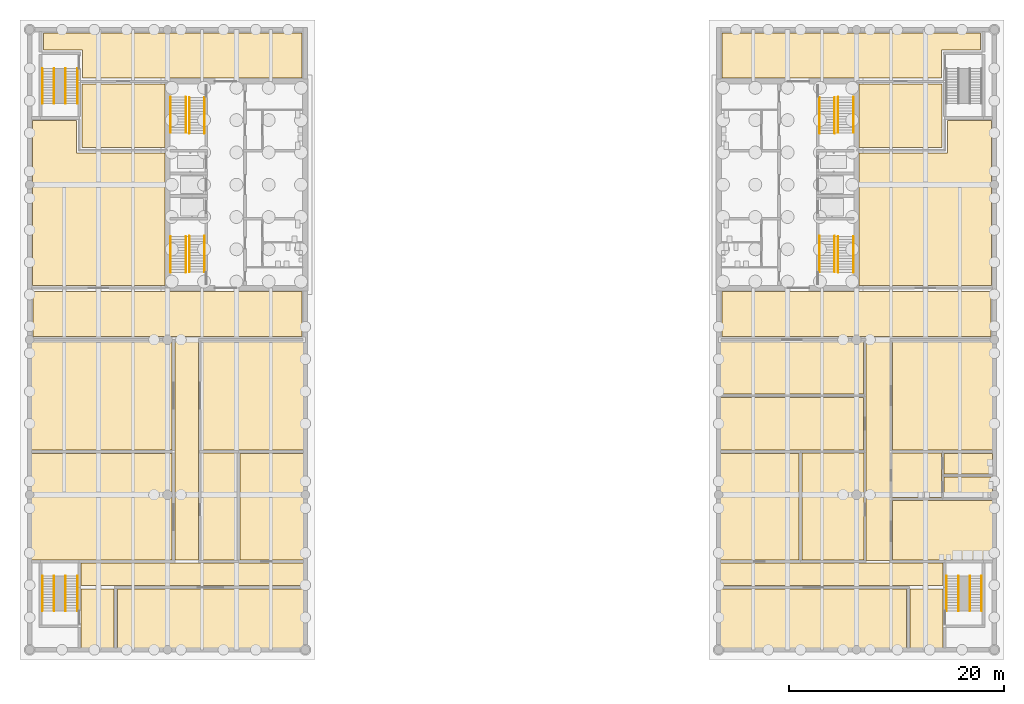
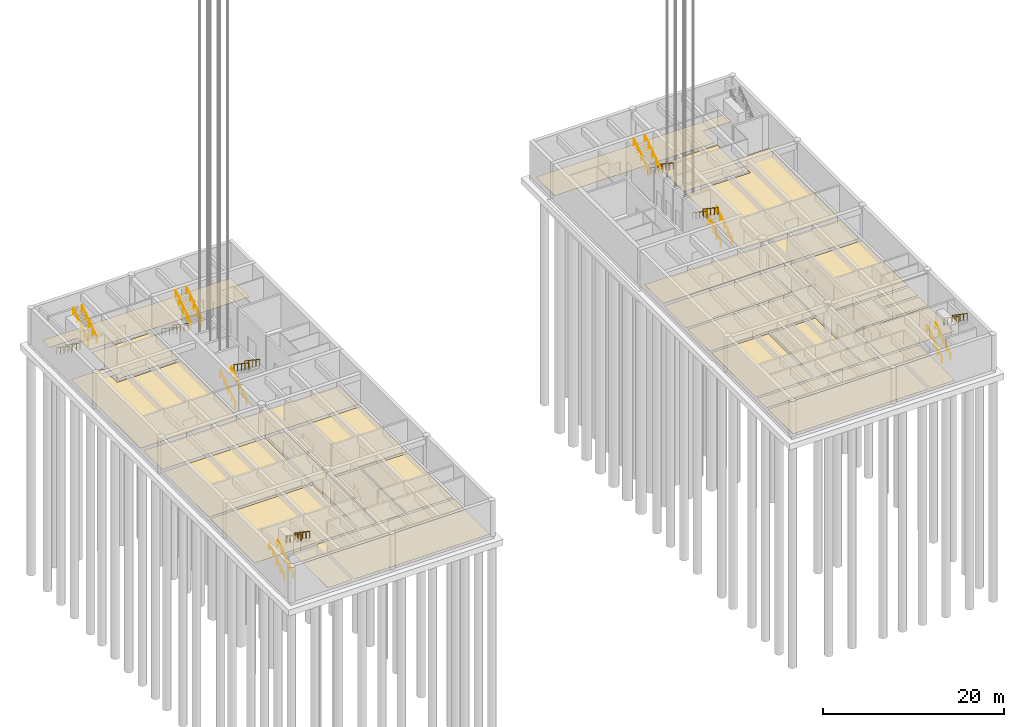
# One storey, part 21 of 24: 30 coverings, 28 railings.
"""IFC4 building model written with IfcOpenShell, lengths in metres."""

from ifc_helpers import new_model, si_unit, direction, frame, origin, origin_2d, place, context, subcontext, project, spatial, polyline, circle, outline, extrude, material, layer, layer_set, type_object, element, save


model = new_model("IFC4")

# Units and contexts
model_context = context("Model", 3, precision=1e-05, world=origin(), true_north=direction((0.0, 1.0)))
body_context = subcontext(model_context, "Body", "Model", "MODEL_VIEW")
ifc_project = project(units=[si_unit("LENGTHUNIT", "METRE"), si_unit("AREAUNIT", "SQUARE_METRE"), si_unit("VOLUMEUNIT", "CUBIC_METRE"), si_unit("PLANEANGLEUNIT", "RADIAN"), si_unit("MASSUNIT", "GRAM", prefix="KILO")], contexts=[model_context])

# Site, building, storey
site_placement = place(None, origin())
site = spatial("IfcSite", under=ifc_project, at=site_placement, CompositionType="ELEMENT")
building_placement = place(site_placement, origin())
building = spatial("IfcBuilding", under=site, at=building_placement, Name="Fogon Plaza Fire Station and Headquarters Tower", CompositionType="ELEMENT")
storey_placement = place(building_placement, frame((0.0, 0.0, -4.800048828125)))
storey = spatial("IfcBuildingStorey", under=building, at=storey_placement, Name="B1", CompositionType="ELEMENT", Elevation=-4.800048828125)

# Coverings
ifc_material_1 = material(Name="Epoxy Resin Floor Finish")
ifc_layer = layer(ifc_material_1, 0.02490234375)
ifc_layer_set = layer_set([ifc_layer], Name="Epoxy Resin Floor Finish")
covering_type = type_object("IfcCoveringType", Name="Floor Finish Epoxy 25", PredefinedType="FLOORING", material=ifc_layer_set)
covering_1_placement = place(storey_placement, origin())
element("IfcCovering", 1, at=covering_1_placement, inside=storey, type_object=covering_type, Name="floor-B1-W-slob", PredefinedType="FLOORING", context=body_context, shape_type="SweptSolid", body=[
    extrude(outline(polyline([(4.75, 0.14990234375), (4.75, 5.64990234375), (7.85009765625, 5.64990234375), (7.85009765625, 0.14990234375), (4.75, 0.14990234375)])), origin(), (0.0, 0.0, 1.0), 0.025146484375),
])
covering_2_placement = place(storey_placement, origin())
element("IfcCovering", 2, at=covering_2_placement, inside=storey, type_object=covering_type, Name="floor-B1-W-cis", PredefinedType="FLOORING", context=body_context, shape_type="SweptSolid", body=[
    extrude(outline(polyline([(8.14990234375, 0.14990234375), (8.14990234375, 5.64990234375), (25.449951171875, 5.64990234375), (25.449951171875, 0.14990234375), (8.14990234375, 0.14990234375)])), origin(), (0.0, 0.0, 1.0), 0.025146484375),
])
covering_3_placement = place(storey_placement, origin())
element("IfcCovering", 3, at=covering_3_placement, inside=storey, type_object=covering_type, Name="floor-B1-W-bcor", PredefinedType="FLOORING", context=body_context, shape_type="SweptSolid", body=[
    extrude(outline(polyline([(4.75, 5.949951171875), (4.75, 8.050048828125), (25.449951171875, 8.050048828125), (25.449951171875, 5.949951171875), (4.75, 5.949951171875)])), origin(), (0.0, 0.0, 1.0), 0.025146484375),
])
covering_4_placement = place(storey_placement, origin())
element("IfcCovering", 4, at=covering_4_placement, inside=storey, type_object=covering_type, Name="floor-B1-W-gen", PredefinedType="FLOORING", context=body_context, shape_type="SweptSolid", body=[
    extrude(outline(polyline([(0.14990234375, 8.35009765625), (0.14990234375, 18.25), (13.199951171875, 18.25), (13.199951171875, 8.35009765625), (0.14990234375, 8.35009765625)])), origin(), (0.0, 0.0, 1.0), 0.025146484375),
])
covering_5_placement = place(storey_placement, origin())
element("IfcCovering", 5, at=covering_5_placement, inside=storey, type_object=covering_type, Name="floor-B1-W-pcor", PredefinedType="FLOORING", context=body_context, shape_type="SweptSolid", body=[
    extrude(outline(polyline([(13.47509765625, 8.324951171875), (13.47509765625, 28.675048828125), (15.675048828125, 28.675048828125), (15.675048828125, 8.324951171875), (13.47509765625, 8.324951171875)])), origin(), (0.0, 0.0, 1.0), 0.025146484375),
])
covering_6_placement = place(storey_placement, origin())
element("IfcCovering", 6, at=covering_6_placement, inside=storey, type_object=covering_type, Name="floor-B1-W-fuel", PredefinedType="FLOORING", context=body_context, shape_type="SweptSolid", body=[
    extrude(outline(polyline([(15.925048828125, 8.324951171875), (15.925048828125, 18.27490234375), (19.27490234375, 18.27490234375), (19.27490234375, 8.324951171875), (15.925048828125, 8.324951171875)])), origin(), (0.0, 0.0, 1.0), 0.025146484375),
])
covering_7_placement = place(storey_placement, origin())
element("IfcCovering", 7, at=covering_7_placement, inside=storey, type_object=covering_type, Name="floor-B1-W-sub", PredefinedType="FLOORING", context=body_context, shape_type="SweptSolid", body=[
    extrude(outline(polyline([(19.550048828125, 8.35009765625), (19.550048828125, 18.25), (25.449951171875, 18.25), (25.449951171875, 8.35009765625), (19.550048828125, 8.35009765625)])), origin(), (0.0, 0.0, 1.0), 0.025146484375),
])
covering_8_placement = place(storey_placement, origin())
element("IfcCovering", 8, at=covering_8_placement, inside=storey, type_object=covering_type, Name="floor-B1-W-ups", PredefinedType="FLOORING", context=body_context, shape_type="SweptSolid", body=[
    extrude(outline(polyline([(0.14990234375, 18.550048828125), (0.14990234375, 28.64990234375), (13.199951171875, 28.64990234375), (13.199951171875, 18.550048828125), (0.14990234375, 18.550048828125)])), origin(), (0.0, 0.0, 1.0), 0.025146484375),
])
covering_9_placement = place(storey_placement, origin())
element("IfcCovering", 9, at=covering_9_placement, inside=storey, type_object=covering_type, Name="floor-B1-W-mech", PredefinedType="FLOORING", context=body_context, shape_type="SweptSolid", body=[
    extrude(outline(polyline([(15.949951171875, 18.550048828125), (15.949951171875, 28.64990234375), (25.449951171875, 28.64990234375), (25.449951171875, 18.550048828125), (15.949951171875, 18.550048828125)])), origin(), (0.0, 0.0, 1.0), 0.025146484375),
])
covering_10_placement = place(storey_placement, origin())
element("IfcCovering", 10, at=covering_10_placement, inside=storey, type_object=covering_type, Name="floor-B1-W-spine", PredefinedType="FLOORING", context=body_context, shape_type="SweptSolid", body=[
    extrude(outline(polyline([(0.300048828125, 29.10009765625), (0.300048828125, 33.300048828125), (25.300048828125, 33.300048828125), (25.300048828125, 29.10009765625), (0.300048828125, 29.10009765625)])), origin(), (0.0, 0.0, 1.0), 0.025146484375),
])
covering_11_placement = place(storey_placement, origin())
element("IfcCovering", 11, at=covering_11_placement, inside=storey, type_object=covering_type, Name="floor-B1-W-arch", PredefinedType="FLOORING", context=body_context, shape_type="SweptSolid", body=[
    extrude(outline(polyline([(0.25, 33.85009765625), (0.25, 49.14990234375), (4.35009765625, 49.14990234375), (4.35009765625, 46.14990234375), (12.550048828125, 46.14990234375), (12.550048828125, 33.85009765625), (0.25, 33.85009765625)])), origin(), (0.0, 0.0, 1.0), 0.025146484375),
])
covering_12_placement = place(storey_placement, origin())
element("IfcCovering", 12, at=covering_12_placement, inside=storey, type_object=covering_type, Name="floor-B1-W-astore", PredefinedType="FLOORING", context=body_context, shape_type="SweptSolid", body=[
    extrude(outline(polyline([(4.85009765625, 46.64990234375), (4.85009765625, 52.550048828125), (12.550048828125, 52.550048828125), (12.550048828125, 46.64990234375), (4.85009765625, 46.64990234375)])), origin(), (0.0, 0.0, 1.0), 0.025146484375),
])
covering_13_placement = place(storey_placement, origin())
element("IfcCovering", 13, at=covering_13_placement, inside=storey, type_object=covering_type, Name="floor-B1-W-ncor", PredefinedType="FLOORING", context=body_context, shape_type="SweptSolid", body=[
    extrude(outline(polyline([(4.89990234375, 53.10009765625), (4.89990234375, 55.699951171875), (1.300048828125, 55.699951171875), (1.300048828125, 57.300048828125), (25.300048828125, 57.300048828125), (25.300048828125, 53.10009765625), (4.89990234375, 53.10009765625)])), origin(), (0.0, 0.0, 1.0), 0.025146484375),
])
covering_14_placement = place(storey_placement, origin())
element("IfcCovering", 14, at=covering_14_placement, inside=storey, type_object=covering_type, Name="floor-B1-E-slob", PredefinedType="FLOORING", context=body_context, shape_type="SweptSolid", body=[
    extrude(outline(polyline([(81.75, 0.14990234375), (81.75, 5.64990234375), (84.85009765625, 5.64990234375), (84.85009765625, 0.14990234375), (81.75, 0.14990234375)])), origin(), (0.0, 0.0, 1.0), 0.025146484375),
])
covering_15_placement = place(storey_placement, origin())
element("IfcCovering", 15, at=covering_15_placement, inside=storey, type_object=covering_type, Name="floor-B1-E-bike", PredefinedType="FLOORING", context=body_context, shape_type="SweptSolid", body=[
    extrude(outline(polyline([(64.14990234375, 0.14990234375), (64.14990234375, 5.64990234375), (81.449951171875, 5.64990234375), (81.449951171875, 0.14990234375), (64.14990234375, 0.14990234375)])), origin(), (0.0, 0.0, 1.0), 0.025146484375),
])
covering_16_placement = place(storey_placement, origin())
element("IfcCovering", 16, at=covering_16_placement, inside=storey, type_object=covering_type, Name="floor-B1-E-bcor", PredefinedType="FLOORING", context=body_context, shape_type="SweptSolid", body=[
    extrude(outline(polyline([(64.14990234375, 5.949951171875), (64.14990234375, 8.050048828125), (84.85009765625, 8.050048828125), (84.85009765625, 5.949951171875), (64.14990234375, 5.949951171875)])), origin(), (0.0, 0.0, 1.0), 0.025146484375),
])
covering_17_placement = place(storey_placement, origin())
element("IfcCovering", 17, at=covering_17_placement, inside=storey, type_object=covering_type, Name="floor-B1-E-lock", PredefinedType="FLOORING", context=body_context, shape_type="SweptSolid", body=[
    extrude(outline(polyline([(80.14990234375, 8.35009765625), (80.14990234375, 13.85009765625), (89.449951171875, 13.85009765625), (89.449951171875, 8.35009765625), (80.14990234375, 8.35009765625)])), origin(), (0.0, 0.0, 1.0), 0.025146484375),
])
covering_18_placement = place(storey_placement, origin())
element("IfcCovering", 18, at=covering_18_placement, inside=storey, type_object=covering_type, Name="floor-B1-E-wc1", PredefinedType="FLOORING", context=body_context, shape_type="SweptSolid", body=[
    extrude(outline(polyline([(84.949951171875, 14.14990234375), (84.949951171875, 16.050048828125), (89.449951171875, 16.050048828125), (89.449951171875, 14.14990234375), (84.949951171875, 14.14990234375)])), origin(), (0.0, 0.0, 1.0), 0.025146484375),
])
covering_19_placement = place(storey_placement, origin())
element("IfcCovering", 19, at=covering_19_placement, inside=storey, type_object=covering_type, Name="floor-B1-E-wc2", PredefinedType="FLOORING", context=body_context, shape_type="SweptSolid", body=[
    extrude(outline(polyline([(84.949951171875, 16.35009765625), (84.949951171875, 18.25), (89.449951171875, 18.25), (89.449951171875, 16.35009765625), (84.949951171875, 16.35009765625)])), origin(), (0.0, 0.0, 1.0), 0.025146484375),
])
covering_20_placement = place(storey_placement, origin())
element("IfcCovering", 20, at=covering_20_placement, inside=storey, type_object=covering_type, Name="floor-B1-E-wcl", PredefinedType="FLOORING", context=body_context, shape_type="SweptSolid", body=[
    extrude(outline(polyline([(80.10009765625, 14.10009765625), (80.10009765625, 18.300048828125), (84.699951171875, 18.300048828125), (84.699951171875, 14.10009765625), (80.10009765625, 14.10009765625)])), origin(), (0.0, 0.0, 1.0), 0.025146484375),
])
covering_21_placement = place(storey_placement, origin())
element("IfcCovering", 21, at=covering_21_placement, inside=storey, type_object=covering_type, Name="floor-B1-E-pcor", PredefinedType="FLOORING", context=body_context, shape_type="SweptSolid", body=[
    extrude(outline(polyline([(77.699951171875, 8.300048828125), (77.699951171875, 28.699951171875), (79.89990234375, 28.699951171875), (79.89990234375, 8.300048828125), (77.699951171875, 8.300048828125)])), origin(), (0.0, 0.0, 1.0), 0.025146484375),
])
covering_22_placement = place(storey_placement, origin())
element("IfcCovering", 22, at=covering_22_placement, inside=storey, type_object=covering_type, Name="floor-B1-E-uni", PredefinedType="FLOORING", context=body_context, shape_type="SweptSolid", body=[
    extrude(outline(polyline([(71.72509765625, 8.324951171875), (71.72509765625, 18.27490234375), (77.47509765625, 18.27490234375), (77.47509765625, 8.324951171875), (71.72509765625, 8.324951171875)])), origin(), (0.0, 0.0, 1.0), 0.025146484375),
])
covering_23_placement = place(storey_placement, origin())
element("IfcCovering", 23, at=covering_23_placement, inside=storey, type_object=covering_type, Name="floor-B1-E-vent", PredefinedType="FLOORING", context=body_context, shape_type="SweptSolid", body=[
    extrude(outline(polyline([(64.14990234375, 8.35009765625), (64.14990234375, 18.25), (71.449951171875, 18.25), (71.449951171875, 8.35009765625), (64.14990234375, 8.35009765625)])), origin(), (0.0, 0.0, 1.0), 0.025146484375),
])
covering_24_placement = place(storey_placement, origin())
element("IfcCovering", 24, at=covering_24_placement, inside=storey, type_object=covering_type, Name="floor-B1-E-stor", PredefinedType="FLOORING", context=body_context, shape_type="SweptSolid", body=[
    extrude(outline(polyline([(64.14990234375, 18.550048828125), (64.14990234375, 23.449951171875), (77.449951171875, 23.449951171875), (77.449951171875, 18.550048828125), (64.14990234375, 18.550048828125)])), origin(), (0.0, 0.0, 1.0), 0.025146484375),
])
covering_25_placement = place(storey_placement, origin())
element("IfcCovering", 25, at=covering_25_placement, inside=storey, type_object=covering_type, Name="floor-B1-E-wshs", PredefinedType="FLOORING", context=body_context, shape_type="SweptSolid", body=[
    extrude(outline(polyline([(64.14990234375, 23.75), (64.14990234375, 28.64990234375), (77.449951171875, 28.64990234375), (77.449951171875, 23.75), (64.14990234375, 23.75)])), origin(), (0.0, 0.0, 1.0), 0.025146484375),
])
covering_26_placement = place(storey_placement, origin())
element("IfcCovering", 26, at=covering_26_placement, inside=storey, type_object=covering_type, Name="floor-B1-E-ew", PredefinedType="FLOORING", context=body_context, shape_type="SweptSolid", body=[
    extrude(outline(polyline([(80.14990234375, 18.550048828125), (80.14990234375, 28.64990234375), (89.449951171875, 28.64990234375), (89.449951171875, 18.550048828125), (80.14990234375, 18.550048828125)])), origin(), (0.0, 0.0, 1.0), 0.025146484375),
])
covering_27_placement = place(storey_placement, origin())
element("IfcCovering", 27, at=covering_27_placement, inside=storey, type_object=covering_type, Name="floor-B1-E-spine", PredefinedType="FLOORING", context=body_context, shape_type="SweptSolid", body=[
    extrude(outline(polyline([(64.300048828125, 29.10009765625), (64.300048828125, 33.300048828125), (89.300048828125, 33.300048828125), (89.300048828125, 29.10009765625), (64.300048828125, 29.10009765625)])), origin(), (0.0, 0.0, 1.0), 0.025146484375),
])
covering_28_placement = place(storey_placement, origin())
element("IfcCovering", 28, at=covering_28_placement, inside=storey, type_object=covering_type, Name="floor-B1-E-hs", PredefinedType="FLOORING", context=body_context, shape_type="SweptSolid", body=[
    extrude(outline(polyline([(77.050048828125, 33.85009765625), (77.050048828125, 46.14990234375), (85.25, 46.14990234375), (85.25, 49.14990234375), (89.35009765625, 49.14990234375), (89.35009765625, 33.85009765625), (77.050048828125, 33.85009765625)])), origin(), (0.0, 0.0, 1.0), 0.025146484375),
])
covering_29_placement = place(storey_placement, origin())
element("IfcCovering", 29, at=covering_29_placement, inside=storey, type_object=covering_type, Name="floor-B1-E-stor2", PredefinedType="FLOORING", context=body_context, shape_type="SweptSolid", body=[
    extrude(outline(polyline([(77.050048828125, 46.64990234375), (77.050048828125, 52.550048828125), (84.75, 52.550048828125), (84.75, 46.64990234375), (77.050048828125, 46.64990234375)])), origin(), (0.0, 0.0, 1.0), 0.025146484375),
])
covering_30_placement = place(storey_placement, origin())
element("IfcCovering", 30, at=covering_30_placement, inside=storey, type_object=covering_type, Name="floor-B1-E-ncor", PredefinedType="FLOORING", context=body_context, shape_type="SweptSolid", body=[
    extrude(outline(polyline([(64.300048828125, 53.10009765625), (64.300048828125, 57.300048828125), (88.300048828125, 57.300048828125), (88.300048828125, 55.699951171875), (84.699951171875, 55.699951171875), (84.699951171875, 53.10009765625), (64.300048828125, 53.10009765625)])), origin(), (0.0, 0.0, 1.0), 0.025146484375),
])

# Railings
ifc_material_2 = material(Name="Steel", Category="steel")
railing_type_1 = type_object("IfcRailingType", Name="Stair Handrail 900", PredefinedType="HANDRAIL", material=ifc_material_2)
for number, where, name in (
    (31, (13.10009765625, 35.06005859375, 0.17138671875), "Handrail ST1"),
    (32, (14.5, 35.06005859375, 0.17138671875), "Handrail ST1"),
):
    element("IfcRailing", number, at=place(storey_placement, frame(where)), inside=storey, type_object=railing_type_1, Name=name, PredefinedType="HANDRAIL", context=body_context, shape_type="SweptSolid", body=[
        extrude(circle(Radius=0.02392578125, at=origin_2d()), frame((0.0, 0.0, 0.8759765625), z_axis=(0.0, 0.829871845181, 0.557954048804), x_axis=(-1.0, 0.0, 0.0)), (0.0, 0.0, 1.0), 3.99462890625),
        extrude(circle(Radius=0.02099609375, at=origin_2d()), origin(), (0.0, 0.0, 1.0), 0.851806640625),
        extrude(circle(Radius=0.02099609375, at=origin_2d()), frame((0.0, 0.82861328125, 0.55712890625)), (0.0, 0.0, 1.0), 0.851806640625),
        extrude(circle(Radius=0.02099609375, at=origin_2d()), frame((0.0, 1.657470703125, 1.1142578125)), (0.0, 0.0, 1.0), 0.851806640625),
        extrude(circle(Radius=0.02099609375, at=origin_2d()), frame((0.0, 2.486328125, 1.671630859375)), (0.0, 0.0, 1.0), 0.851806640625),
        extrude(circle(Radius=0.02099609375, at=origin_2d()), frame((0.0, 3.31494140625, 2.228759765625)), (0.0, 0.0, 1.0), 0.851806640625),
    ])
for number, where, name in (
    (33, (16.22509765625, 38.425048828125, 2.571533203125), "Handrail ST1"),
    (34, (14.824951171875, 38.425048828125, 2.571533203125), "Handrail ST1"),
):
    element("IfcRailing", number, at=place(storey_placement, frame(where)), inside=storey, type_object=railing_type_1, Name=name, PredefinedType="HANDRAIL", context=body_context, shape_type="SweptSolid", body=[
        extrude(circle(Radius=0.02392578125, at=origin_2d()), frame((0.0, 0.0, 0.8759765625), z_axis=(0.0, -0.829900144965, 0.557911954871), x_axis=(1.0, 0.0, 0.0)), (0.0, 0.0, 1.0), 3.994384765625),
        extrude(circle(Radius=0.02099609375, at=origin_2d()), origin(), (0.0, 0.0, 1.0), 0.851806640625),
        extrude(circle(Radius=0.02099609375, at=origin_2d()), frame((0.0, -0.82861328125, 0.55712890625)), (0.0, 0.0, 1.0), 0.851806640625),
        extrude(circle(Radius=0.02099609375, at=origin_2d()), frame((0.0, -1.657470703125, 1.1142578125)), (0.0, 0.0, 1.0), 0.851806640625),
        extrude(circle(Radius=0.02099609375, at=origin_2d()), frame((0.0, -2.486328125, 1.67138671875)), (0.0, 0.0, 1.0), 0.851806640625),
        extrude(circle(Radius=0.02099609375, at=origin_2d()), frame((0.0, -3.31494140625, 2.228515625)), (0.0, 0.0, 1.0), 0.851806640625),
    ])
for number, where, name in (
    (35, (13.10009765625, 51.340087890625, 0.17138671875), "Handrail ST2"),
    (36, (14.5, 51.340087890625, 0.17138671875), "Handrail ST2"),
):
    element("IfcRailing", number, at=place(storey_placement, frame(where)), inside=storey, type_object=railing_type_1, Name=name, PredefinedType="HANDRAIL", context=body_context, shape_type="SweptSolid", body=[
        extrude(circle(Radius=0.02392578125, at=origin_2d()), frame((0.0, 0.0, 0.8759765625), z_axis=(0.0, -0.829890870811, 0.557925750028), x_axis=(1.0, 0.0, 0.0)), (0.0, 0.0, 1.0), 3.99462890625),
        extrude(circle(Radius=0.02099609375, at=origin_2d()), origin(), (0.0, 0.0, 1.0), 0.851806640625),
        extrude(circle(Radius=0.02099609375, at=origin_2d()), frame((0.0, -0.828857421875, 0.55712890625)), (0.0, 0.0, 1.0), 0.851806640625),
        extrude(circle(Radius=0.02099609375, at=origin_2d()), frame((0.0, -1.65771484375, 1.1142578125)), (0.0, 0.0, 1.0), 0.851806640625),
        extrude(circle(Radius=0.02099609375, at=origin_2d()), frame((0.0, -2.486328125, 1.671630859375)), (0.0, 0.0, 1.0), 0.851806640625),
        extrude(circle(Radius=0.02099609375, at=origin_2d()), frame((0.0, -3.315185546875, 2.228759765625)), (0.0, 0.0, 1.0), 0.851806640625),
    ])
for number, where, name in (
    (37, (16.22509765625, 47.97509765625, 2.571533203125), "Handrail ST2"),
    (38, (14.824951171875, 47.97509765625, 2.571533203125), "Handrail ST2"),
):
    element("IfcRailing", number, at=place(storey_placement, frame(where)), inside=storey, type_object=railing_type_1, Name=name, PredefinedType="HANDRAIL", context=body_context, shape_type="SweptSolid", body=[
        extrude(circle(Radius=0.02392578125, at=origin_2d()), frame((0.0, 0.0, 0.8759765625), z_axis=(0.0, 0.829900144965, 0.557911954871), x_axis=(-1.0, 0.0, 0.0)), (0.0, 0.0, 1.0), 3.994384765625),
        extrude(circle(Radius=0.02099609375, at=origin_2d()), origin(), (0.0, 0.0, 1.0), 0.851806640625),
        extrude(circle(Radius=0.02099609375, at=origin_2d()), frame((0.0, 0.82861328125, 0.55712890625)), (0.0, 0.0, 1.0), 0.851806640625),
        extrude(circle(Radius=0.02099609375, at=origin_2d()), frame((0.0, 1.657470703125, 1.1142578125)), (0.0, 0.0, 1.0), 0.851806640625),
        extrude(circle(Radius=0.02099609375, at=origin_2d()), frame((0.0, 2.486328125, 1.67138671875)), (0.0, 0.0, 1.0), 0.851806640625),
        extrude(circle(Radius=0.02099609375, at=origin_2d()), frame((0.0, 3.31494140625, 2.228515625)), (0.0, 0.0, 1.0), 0.851806640625),
    ])
for number, where, name in (
    (39, (76.5, 35.06005859375, 0.17138671875), "Handrail ST3"),
    (40, (75.10009765625, 35.06005859375, 0.17138671875), "Handrail ST3"),
):
    element("IfcRailing", number, at=place(storey_placement, frame(where)), inside=storey, type_object=railing_type_1, Name=name, PredefinedType="HANDRAIL", context=body_context, shape_type="SweptSolid", body=[
        extrude(circle(Radius=0.02392578125, at=origin_2d()), frame((0.0, 0.0, 0.8759765625), z_axis=(0.0, 0.829871845181, 0.557954048804), x_axis=(-1.0, 0.0, 0.0)), (0.0, 0.0, 1.0), 3.99462890625),
        extrude(circle(Radius=0.02099609375, at=origin_2d()), origin(), (0.0, 0.0, 1.0), 0.851806640625),
        extrude(circle(Radius=0.02099609375, at=origin_2d()), frame((0.0, 0.82861328125, 0.55712890625)), (0.0, 0.0, 1.0), 0.851806640625),
        extrude(circle(Radius=0.02099609375, at=origin_2d()), frame((0.0, 1.657470703125, 1.1142578125)), (0.0, 0.0, 1.0), 0.851806640625),
        extrude(circle(Radius=0.02099609375, at=origin_2d()), frame((0.0, 2.486328125, 1.671630859375)), (0.0, 0.0, 1.0), 0.851806640625),
        extrude(circle(Radius=0.02099609375, at=origin_2d()), frame((0.0, 3.31494140625, 2.228759765625)), (0.0, 0.0, 1.0), 0.851806640625),
    ])
for number, where, name in (
    (41, (73.375, 38.425048828125, 2.571533203125), "Handrail ST3"),
    (42, (74.77490234375, 38.425048828125, 2.571533203125), "Handrail ST3"),
):
    element("IfcRailing", number, at=place(storey_placement, frame(where)), inside=storey, type_object=railing_type_1, Name=name, PredefinedType="HANDRAIL", context=body_context, shape_type="SweptSolid", body=[
        extrude(circle(Radius=0.02392578125, at=origin_2d()), frame((0.0, 0.0, 0.8759765625), z_axis=(0.0, -0.829900144965, 0.557911954871), x_axis=(1.0, 0.0, 0.0)), (0.0, 0.0, 1.0), 3.994384765625),
        extrude(circle(Radius=0.02099609375, at=origin_2d()), origin(), (0.0, 0.0, 1.0), 0.851806640625),
        extrude(circle(Radius=0.02099609375, at=origin_2d()), frame((0.0, -0.82861328125, 0.55712890625)), (0.0, 0.0, 1.0), 0.851806640625),
        extrude(circle(Radius=0.02099609375, at=origin_2d()), frame((0.0, -1.657470703125, 1.1142578125)), (0.0, 0.0, 1.0), 0.851806640625),
        extrude(circle(Radius=0.02099609375, at=origin_2d()), frame((0.0, -2.486328125, 1.67138671875)), (0.0, 0.0, 1.0), 0.851806640625),
        extrude(circle(Radius=0.02099609375, at=origin_2d()), frame((0.0, -3.31494140625, 2.228515625)), (0.0, 0.0, 1.0), 0.851806640625),
    ])
for number, where, name in (
    (43, (76.5, 51.340087890625, 0.17138671875), "Handrail ST4"),
    (44, (75.10009765625, 51.340087890625, 0.17138671875), "Handrail ST4"),
):
    element("IfcRailing", number, at=place(storey_placement, frame(where)), inside=storey, type_object=railing_type_1, Name=name, PredefinedType="HANDRAIL", context=body_context, shape_type="SweptSolid", body=[
        extrude(circle(Radius=0.02392578125, at=origin_2d()), frame((0.0, 0.0, 0.8759765625), z_axis=(0.0, -0.829890870811, 0.557925750028), x_axis=(1.0, 0.0, 0.0)), (0.0, 0.0, 1.0), 3.99462890625),
        extrude(circle(Radius=0.02099609375, at=origin_2d()), origin(), (0.0, 0.0, 1.0), 0.851806640625),
        extrude(circle(Radius=0.02099609375, at=origin_2d()), frame((0.0, -0.828857421875, 0.55712890625)), (0.0, 0.0, 1.0), 0.851806640625),
        extrude(circle(Radius=0.02099609375, at=origin_2d()), frame((0.0, -1.65771484375, 1.1142578125)), (0.0, 0.0, 1.0), 0.851806640625),
        extrude(circle(Radius=0.02099609375, at=origin_2d()), frame((0.0, -2.486328125, 1.671630859375)), (0.0, 0.0, 1.0), 0.851806640625),
        extrude(circle(Radius=0.02099609375, at=origin_2d()), frame((0.0, -3.315185546875, 2.228759765625)), (0.0, 0.0, 1.0), 0.851806640625),
    ])
for number, where, name in (
    (45, (73.375, 47.97509765625, 2.571533203125), "Handrail ST4"),
    (46, (74.77490234375, 47.97509765625, 2.571533203125), "Handrail ST4"),
):
    element("IfcRailing", number, at=place(storey_placement, frame(where)), inside=storey, type_object=railing_type_1, Name=name, PredefinedType="HANDRAIL", context=body_context, shape_type="SweptSolid", body=[
        extrude(circle(Radius=0.02392578125, at=origin_2d()), frame((0.0, 0.0, 0.8759765625), z_axis=(0.0, 0.829900144965, 0.557911954871), x_axis=(-1.0, 0.0, 0.0)), (0.0, 0.0, 1.0), 3.994384765625),
        extrude(circle(Radius=0.02099609375, at=origin_2d()), origin(), (0.0, 0.0, 1.0), 0.851806640625),
        extrude(circle(Radius=0.02099609375, at=origin_2d()), frame((0.0, 0.82861328125, 0.55712890625)), (0.0, 0.0, 1.0), 0.851806640625),
        extrude(circle(Radius=0.02099609375, at=origin_2d()), frame((0.0, 1.657470703125, 1.1142578125)), (0.0, 0.0, 1.0), 0.851806640625),
        extrude(circle(Radius=0.02099609375, at=origin_2d()), frame((0.0, 2.486328125, 1.67138671875)), (0.0, 0.0, 1.0), 0.851806640625),
        extrude(circle(Radius=0.02099609375, at=origin_2d()), frame((0.0, 3.31494140625, 2.228515625)), (0.0, 0.0, 1.0), 0.851806640625),
    ])
ifc_material_3 = material(Name="Stainless Steel", Category="steel")
railing_type_2 = type_object("IfcRailingType", Name="Stair Handrail Steel 900", PredefinedType="HANDRAIL", material=ifc_material_3)
for number, where, name in (
    (47, (1.175048828125, 53.97509765625, 0.17138671875), "rail-ST5-B1-1"),
    (48, (2.27490234375, 53.97509765625, 0.17138671875), "rail-ST5-B1-2"),
):
    element("IfcRailing", number, at=place(storey_placement, frame(where)), inside=storey, type_object=railing_type_2, Name=name, PredefinedType="HANDRAIL", context=body_context, shape_type="SweptSolid", body=[
        extrude(circle(Radius=0.02392578125, at=origin_2d()), frame((0.0, 0.0, 0.8759765625), z_axis=(0.0, -0.824706560827, 0.565560861914), x_axis=(1.0, 0.0, 0.0)), (0.0, 0.0, 1.0), 3.940673828125),
        extrude(circle(Radius=0.02099609375, at=origin_2d()), origin(), (0.0, 0.0, 1.0), 0.851806640625),
        extrude(circle(Radius=0.02099609375, at=origin_2d()), frame((0.0, -0.8125, 0.55712890625)), (0.0, 0.0, 1.0), 0.851806640625),
        extrude(circle(Radius=0.02099609375, at=origin_2d()), frame((0.0, -1.625, 1.1142578125)), (0.0, 0.0, 1.0), 0.851806640625),
        extrude(circle(Radius=0.02099609375, at=origin_2d()), frame((0.0, -2.4375, 1.671630859375)), (0.0, 0.0, 1.0), 0.851806640625),
        extrude(circle(Radius=0.02099609375, at=origin_2d()), frame((0.0, -3.25, 2.228759765625)), (0.0, 0.0, 1.0), 0.851806640625),
    ])
for number, where, name in (
    (49, (3.324951171875, 50.72509765625, 2.571533203125), "rail-ST5-B1-3"),
    (50, (4.425048828125, 50.72509765625, 2.571533203125), "rail-ST5-B1-4"),
):
    element("IfcRailing", number, at=place(storey_placement, frame(where)), inside=storey, type_object=railing_type_2, Name=name, PredefinedType="HANDRAIL", context=body_context, shape_type="SweptSolid", body=[
        extrude(circle(Radius=0.02392578125, at=origin_2d()), frame((0.0, 0.0, 0.8759765625), z_axis=(0.0, 0.824735456578, 0.565518723531), x_axis=(-1.0, 0.0, 0.0)), (0.0, 0.0, 1.0), 3.940673828125),
        extrude(circle(Radius=0.02099609375, at=origin_2d()), origin(), (0.0, 0.0, 1.0), 0.851806640625),
        extrude(circle(Radius=0.02099609375, at=origin_2d()), frame((0.0, 0.8125, 0.55712890625)), (0.0, 0.0, 1.0), 0.851806640625),
        extrude(circle(Radius=0.02099609375, at=origin_2d()), frame((0.0, 1.625, 1.1142578125)), (0.0, 0.0, 1.0), 0.851806640625),
        extrude(circle(Radius=0.02099609375, at=origin_2d()), frame((0.0, 2.4375, 1.67138671875)), (0.0, 0.0, 1.0), 0.851806640625),
        extrude(circle(Radius=0.02099609375, at=origin_2d()), frame((0.0, 3.25, 2.228515625)), (0.0, 0.0, 1.0), 0.851806640625),
    ])
for number, where, name in (
    (51, (1.175048828125, 3.625, 0.17138671875), "rail-ST6-B1-1"),
    (52, (2.27490234375, 3.625, 0.17138671875), "rail-ST6-B1-2"),
):
    element("IfcRailing", number, at=place(storey_placement, frame(where)), inside=storey, type_object=railing_type_2, Name=name, PredefinedType="HANDRAIL", context=body_context, shape_type="SweptSolid", body=[
        extrude(circle(Radius=0.02392578125, at=origin_2d()), frame((0.0, 0.0, 0.8759765625), z_axis=(0.0, 0.824706560827, 0.565560861914), x_axis=(-1.0, 0.0, 0.0)), (0.0, 0.0, 1.0), 3.940673828125),
        extrude(circle(Radius=0.02099609375, at=origin_2d()), origin(), (0.0, 0.0, 1.0), 0.851806640625),
        extrude(circle(Radius=0.02099609375, at=origin_2d()), frame((0.0, 0.8125, 0.55712890625)), (0.0, 0.0, 1.0), 0.851806640625),
        extrude(circle(Radius=0.02099609375, at=origin_2d()), frame((0.0, 1.625, 1.1142578125)), (0.0, 0.0, 1.0), 0.851806640625),
        extrude(circle(Radius=0.02099609375, at=origin_2d()), frame((0.0, 2.4375, 1.671630859375)), (0.0, 0.0, 1.0), 0.851806640625),
        extrude(circle(Radius=0.02099609375, at=origin_2d()), frame((0.0, 3.25, 2.228759765625)), (0.0, 0.0, 1.0), 0.851806640625),
    ])
for number, where, name in (
    (53, (3.324951171875, 6.875, 2.571533203125), "rail-ST6-B1-3"),
    (54, (4.425048828125, 6.875, 2.571533203125), "rail-ST6-B1-4"),
):
    element("IfcRailing", number, at=place(storey_placement, frame(where)), inside=storey, type_object=railing_type_2, Name=name, PredefinedType="HANDRAIL", context=body_context, shape_type="SweptSolid", body=[
        extrude(circle(Radius=0.02392578125, at=origin_2d()), frame((0.0, 0.0, 0.8759765625), z_axis=(0.0, -0.824735456578, 0.565518723531), x_axis=(1.0, 0.0, 0.0)), (0.0, 0.0, 1.0), 3.940673828125),
        extrude(circle(Radius=0.02099609375, at=origin_2d()), origin(), (0.0, 0.0, 1.0), 0.851806640625),
        extrude(circle(Radius=0.02099609375, at=origin_2d()), frame((0.0, -0.8125, 0.55712890625)), (0.0, 0.0, 1.0), 0.851806640625),
        extrude(circle(Radius=0.02099609375, at=origin_2d()), frame((0.0, -1.625, 1.1142578125)), (0.0, 0.0, 1.0), 0.851806640625),
        extrude(circle(Radius=0.02099609375, at=origin_2d()), frame((0.0, -2.4375, 1.67138671875)), (0.0, 0.0, 1.0), 0.851806640625),
        extrude(circle(Radius=0.02099609375, at=origin_2d()), frame((0.0, -3.25, 2.228515625)), (0.0, 0.0, 1.0), 0.851806640625),
    ])
for number, where, name in (
    (55, (85.175048828125, 3.625, 0.17138671875), "rail-ST8-B1-1"),
    (56, (86.27490234375, 3.625, 0.17138671875), "rail-ST8-B1-2"),
):
    element("IfcRailing", number, at=place(storey_placement, frame(where)), inside=storey, type_object=railing_type_2, Name=name, PredefinedType="HANDRAIL", context=body_context, shape_type="SweptSolid", body=[
        extrude(circle(Radius=0.02392578125, at=origin_2d()), frame((0.0, 0.0, 0.8759765625), z_axis=(0.0, 0.824706560827, 0.565560861914), x_axis=(-1.0, 0.0, 0.0)), (0.0, 0.0, 1.0), 3.940673828125),
        extrude(circle(Radius=0.02099609375, at=origin_2d()), origin(), (0.0, 0.0, 1.0), 0.851806640625),
        extrude(circle(Radius=0.02099609375, at=origin_2d()), frame((0.0, 0.8125, 0.55712890625)), (0.0, 0.0, 1.0), 0.851806640625),
        extrude(circle(Radius=0.02099609375, at=origin_2d()), frame((0.0, 1.625, 1.1142578125)), (0.0, 0.0, 1.0), 0.851806640625),
        extrude(circle(Radius=0.02099609375, at=origin_2d()), frame((0.0, 2.4375, 1.671630859375)), (0.0, 0.0, 1.0), 0.851806640625),
        extrude(circle(Radius=0.02099609375, at=origin_2d()), frame((0.0, 3.25, 2.228759765625)), (0.0, 0.0, 1.0), 0.851806640625),
    ])
for number, where, name in (
    (57, (87.324951171875, 6.875, 2.571533203125), "rail-ST8-B1-3"),
    (58, (88.425048828125, 6.875, 2.571533203125), "rail-ST8-B1-4"),
):
    element("IfcRailing", number, at=place(storey_placement, frame(where)), inside=storey, type_object=railing_type_2, Name=name, PredefinedType="HANDRAIL", context=body_context, shape_type="SweptSolid", body=[
        extrude(circle(Radius=0.02392578125, at=origin_2d()), frame((0.0, 0.0, 0.8759765625), z_axis=(0.0, -0.824735456578, 0.565518723531), x_axis=(1.0, 0.0, 0.0)), (0.0, 0.0, 1.0), 3.940673828125),
        extrude(circle(Radius=0.02099609375, at=origin_2d()), origin(), (0.0, 0.0, 1.0), 0.851806640625),
        extrude(circle(Radius=0.02099609375, at=origin_2d()), frame((0.0, -0.8125, 0.55712890625)), (0.0, 0.0, 1.0), 0.851806640625),
        extrude(circle(Radius=0.02099609375, at=origin_2d()), frame((0.0, -1.625, 1.1142578125)), (0.0, 0.0, 1.0), 0.851806640625),
        extrude(circle(Radius=0.02099609375, at=origin_2d()), frame((0.0, -2.4375, 1.67138671875)), (0.0, 0.0, 1.0), 0.851806640625),
        extrude(circle(Radius=0.02099609375, at=origin_2d()), frame((0.0, -3.25, 2.228515625)), (0.0, 0.0, 1.0), 0.851806640625),
    ])

save(model, "model.ifc")
